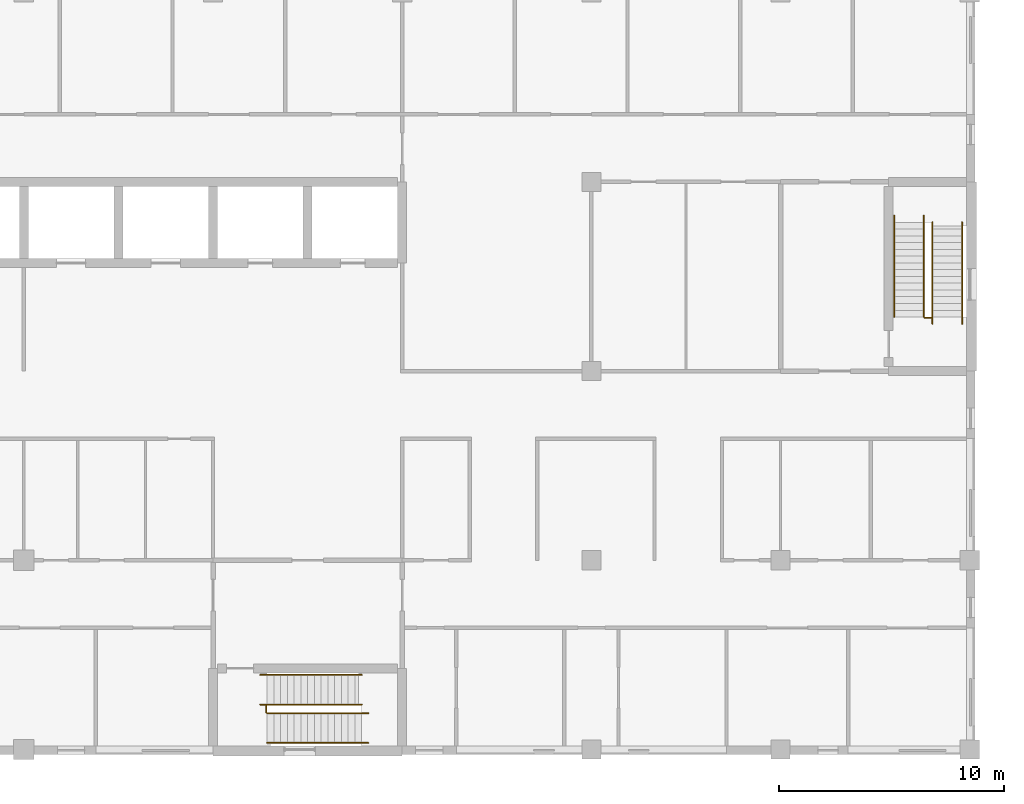
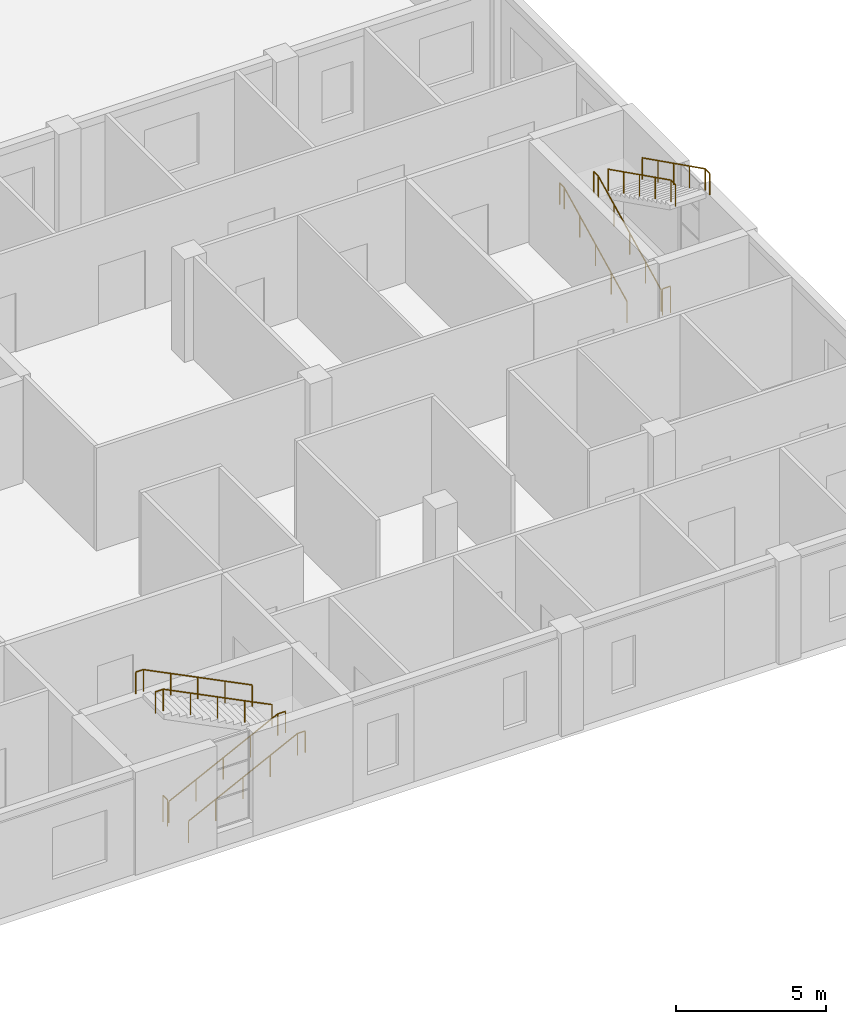
# One storey, part 65 of 66: 10 railings.
"""IFC4 building model written with IfcOpenShell, lengths in metres."""

from ifc_helpers import new_model, si_unit, direction, frame, origin, origin_2d, place, context, subcontext, project, spatial, circle, extrude, material, type_object, element, save


model = new_model("IFC4")

# Units and contexts
model_context = context("Model", 3, precision=1e-05, world=origin(), true_north=direction((0.0, 1.0)))
body_context = subcontext(model_context, "Body", "Model", "MODEL_VIEW")
ifc_project = project(units=[si_unit("LENGTHUNIT", "METRE"), si_unit("AREAUNIT", "SQUARE_METRE"), si_unit("VOLUMEUNIT", "CUBIC_METRE"), si_unit("PLANEANGLEUNIT", "RADIAN"), si_unit("MASSUNIT", "GRAM", prefix="KILO")], contexts=[model_context])

# Site, building, storey
site_placement = place(None, origin())
site = spatial("IfcSite", under=ifc_project, at=site_placement, CompositionType="ELEMENT")
building_placement = place(site_placement, origin())
building = spatial("IfcBuilding", under=site, at=building_placement, Name="Yavir Park General Hospital", CompositionType="ELEMENT")
storey_placement = place(building_placement, frame((0.0, 0.0, 8.39990234375)))
storey = spatial("IfcBuildingStorey", under=building, at=storey_placement, Name="L02", CompositionType="ELEMENT", Elevation=8.39990234375)

# Railings
ifc_material_1 = material(Name="Steel balustrade with infill rods", Category="steel")
railing_type_1 = type_object("IfcRailingType", Name="Stair guard, steel balustrade 1100 mm", PredefinedType="GUARDRAIL", material=ifc_material_1)
railing_1_placement = place(storey_placement, frame((136.77001953125, 1.64990234375, 0.0)))
element("IfcRailing", 1, at=railing_1_placement, inside=storey, type_object=railing_type_1, Name="Stair well guard SU5 L02", PredefinedType="GUARDRAIL", context=body_context, shape_type="SweptSolid", body=[
    extrude(circle(Radius=0.02392578125, at=origin_2d()), frame((0.0, 0.0, 1.076171875), z_axis=(0.0, 1.0, 0.0), x_axis=(-1.0, 0.0, 0.0)), (0.0, 0.0, 1.0), 0.300048828125),
    extrude(circle(Radius=0.02099609375, at=origin_2d()), origin(), (0.0, 0.0, 1.0), 1.052001953125),
    extrude(circle(Radius=0.02099609375, at=origin_2d()), frame((0.0, 0.300048828125, 0.0)), (0.0, 0.0, 1.0), 1.052001953125),
])
railing_2_placement = place(storey_placement, frame((166.0, 19.169921875, 0.0)))
element("IfcRailing", 2, at=railing_2_placement, inside=storey, type_object=railing_type_1, Name="Stair well guard SU6 L02", PredefinedType="GUARDRAIL", context=body_context, shape_type="SweptSolid", body=[
    extrude(circle(Radius=0.02392578125, at=origin_2d()), frame((0.0, 0.0, 1.076171875), z_axis=(1.0, 0.0, 0.0), x_axis=(0.0, 1.0, 0.0)), (0.0, 0.0, 1.0), 0.300048828125),
    extrude(circle(Radius=0.02099609375, at=origin_2d()), origin(), (0.0, 0.0, 1.0), 1.052001953125),
    extrude(circle(Radius=0.02099609375, at=origin_2d()), frame((0.300048828125, 0.0, 0.0)), (0.0, 0.0, 1.0), 1.052001953125),
])
ifc_material_2 = material(Name="Stainless steel tube 48 mm", Category="steel")
railing_type_2 = type_object("IfcRailingType", Name="Stair handrail, steel tube, 900 mm above the nosings", PredefinedType="HANDRAIL", material=ifc_material_2)
for number, where, name in (
    (3, (136.800048828125, 0.2900390625, 0.150146484375), "Handrail SU5 L02 1"),
    (4, (136.800048828125, 1.610107421875, 0.150146484375), "Handrail SU5 L02 2"),
):
    element("IfcRailing", number, at=place(storey_placement, frame(where)), inside=storey, type_object=railing_type_2, Name=name, PredefinedType="HANDRAIL", context=body_context, shape_type="SweptSolid", body=[
        extrude(circle(Radius=0.02392578125, at=origin_2d()), frame((0.0, 0.0, 0.8759765625), z_axis=(0.894437589381, 0.0, 0.447192798132), x_axis=(0.0, 1.0, 0.0)), (0.0, 0.0, 1.0), 4.695556640625),
        extrude(circle(Radius=0.02392578125, at=origin_2d()), frame((4.199951171875, 0.0, 2.9755859375), z_axis=(1.0, 0.0, 0.0), x_axis=(0.0, 1.0, 0.0)), (0.0, 0.0, 1.0), 0.300048828125),
        extrude(circle(Radius=0.02099609375, at=origin_2d()), origin(), (0.0, 0.0, 1.0), 0.851806640625),
        extrude(circle(Radius=0.02099609375, at=origin_2d()), frame((1.050048828125, 0.0, 0.52490234375)), (0.0, 0.0, 1.0), 0.851806640625),
        extrude(circle(Radius=0.02099609375, at=origin_2d()), frame((2.10009765625, 0.0, 1.0498046875)), (0.0, 0.0, 1.0), 0.851806640625),
        extrude(circle(Radius=0.02099609375, at=origin_2d()), frame((3.14990234375, 0.0, 1.574951171875)), (0.0, 0.0, 1.0), 0.851806640625),
        extrude(circle(Radius=0.02099609375, at=origin_2d()), frame((4.199951171875, 0.0, 2.099853515625)), (0.0, 0.0, 1.0), 0.851806640625),
        extrude(circle(Radius=0.02099609375, at=origin_2d()), frame((4.5, 0.0, 2.099853515625)), (0.0, 0.0, 1.0), 0.851806640625),
    ])
for number, where, name in (
    (5, (141.0, 3.31005859375, 2.400146484375), "Handrail SU5 L02 3"),
    (6, (141.0, 1.989990234375, 2.400146484375), "Handrail SU5 L02 4"),
):
    element("IfcRailing", number, at=place(storey_placement, frame(where)), inside=storey, type_object=railing_type_2, Name=name, PredefinedType="HANDRAIL", context=body_context, shape_type="SweptSolid", body=[
        extrude(circle(Radius=0.02392578125, at=origin_2d()), frame((0.0, 0.0, 0.8759765625), z_axis=(-0.894437589381, 0.0, 0.447192798132), x_axis=(0.0, -1.0, 0.0)), (0.0, 0.0, 1.0), 4.695556640625),
        extrude(circle(Radius=0.02392578125, at=origin_2d()), frame((-4.199951171875, 0.0, 2.9755859375), z_axis=(-1.0, 0.0, 0.0), x_axis=(0.0, -1.0, 0.0)), (0.0, 0.0, 1.0), 0.300048828125),
        extrude(circle(Radius=0.02099609375, at=origin_2d()), origin(), (0.0, 0.0, 1.0), 0.851806640625),
        extrude(circle(Radius=0.02099609375, at=origin_2d()), frame((-1.050048828125, 0.0, 0.52490234375)), (0.0, 0.0, 1.0), 0.851806640625),
        extrude(circle(Radius=0.02099609375, at=origin_2d()), frame((-2.10009765625, 0.0, 1.0498046875)), (0.0, 0.0, 1.0), 0.851806640625),
        extrude(circle(Radius=0.02099609375, at=origin_2d()), frame((-3.14990234375, 0.0, 1.574951171875)), (0.0, 0.0, 1.0), 0.851806640625),
        extrude(circle(Radius=0.02099609375, at=origin_2d()), frame((-4.199951171875, 0.0, 2.099853515625)), (0.0, 0.0, 1.0), 0.851806640625),
        extrude(circle(Radius=0.02099609375, at=origin_2d()), frame((-4.5, 0.0, 2.099853515625)), (0.0, 0.0, 1.0), 0.851806640625),
    ])
for number, where, name in (
    (7, (164.639892578125, 19.199951171875, 0.150146484375), "Handrail SU6 L02 1"),
    (8, (165.9599609375, 19.199951171875, 0.150146484375), "Handrail SU6 L02 2"),
):
    element("IfcRailing", number, at=place(storey_placement, frame(where)), inside=storey, type_object=railing_type_2, Name=name, PredefinedType="HANDRAIL", context=body_context, shape_type="SweptSolid", body=[
        extrude(circle(Radius=0.02392578125, at=origin_2d()), frame((0.0, 0.0, 0.8759765625), z_axis=(0.0, 0.894437589381, 0.447192798132), x_axis=(-1.0, 0.0, 0.0)), (0.0, 0.0, 1.0), 4.695556640625),
        extrude(circle(Radius=0.02392578125, at=origin_2d()), frame((0.0, 4.199951171875, 2.9755859375), z_axis=(0.0, 1.0, 0.0), x_axis=(-1.0, 0.0, 0.0)), (0.0, 0.0, 1.0), 0.300048828125),
        extrude(circle(Radius=0.02099609375, at=origin_2d()), origin(), (0.0, 0.0, 1.0), 0.851806640625),
        extrude(circle(Radius=0.02099609375, at=origin_2d()), frame((0.0, 1.050048828125, 0.52490234375)), (0.0, 0.0, 1.0), 0.851806640625),
        extrude(circle(Radius=0.02099609375, at=origin_2d()), frame((0.0, 2.10009765625, 1.0498046875)), (0.0, 0.0, 1.0), 0.851806640625),
        extrude(circle(Radius=0.02099609375, at=origin_2d()), frame((0.0, 3.14990234375, 1.574951171875)), (0.0, 0.0, 1.0), 0.851806640625),
        extrude(circle(Radius=0.02099609375, at=origin_2d()), frame((0.0, 4.199951171875, 2.099853515625)), (0.0, 0.0, 1.0), 0.851806640625),
        extrude(circle(Radius=0.02099609375, at=origin_2d()), frame((0.0, 4.5, 2.099853515625)), (0.0, 0.0, 1.0), 0.851806640625),
    ])
for number, where, name in (
    (9, (167.659912109375, 23.39990234375, 2.400146484375), "Handrail SU6 L02 3"),
    (10, (166.340087890625, 23.39990234375, 2.400146484375), "Handrail SU6 L02 4"),
):
    element("IfcRailing", number, at=place(storey_placement, frame(where)), inside=storey, type_object=railing_type_2, Name=name, PredefinedType="HANDRAIL", context=body_context, shape_type="SweptSolid", body=[
        extrude(circle(Radius=0.02392578125, at=origin_2d()), frame((0.0, 0.0, 0.8759765625), z_axis=(0.0, -0.894437589381, 0.447192798132), x_axis=(1.0, 0.0, 0.0)), (0.0, 0.0, 1.0), 4.695556640625),
        extrude(circle(Radius=0.02392578125, at=origin_2d()), frame((0.0, -4.199951171875, 2.9755859375), z_axis=(0.0, -1.0, 0.0), x_axis=(1.0, 0.0, 0.0)), (0.0, 0.0, 1.0), 0.300048828125),
        extrude(circle(Radius=0.02099609375, at=origin_2d()), origin(), (0.0, 0.0, 1.0), 0.851806640625),
        extrude(circle(Radius=0.02099609375, at=origin_2d()), frame((0.0, -1.050048828125, 0.52490234375)), (0.0, 0.0, 1.0), 0.851806640625),
        extrude(circle(Radius=0.02099609375, at=origin_2d()), frame((0.0, -2.10009765625, 1.0498046875)), (0.0, 0.0, 1.0), 0.851806640625),
        extrude(circle(Radius=0.02099609375, at=origin_2d()), frame((0.0, -3.14990234375, 1.574951171875)), (0.0, 0.0, 1.0), 0.851806640625),
        extrude(circle(Radius=0.02099609375, at=origin_2d()), frame((0.0, -4.199951171875, 2.099853515625)), (0.0, 0.0, 1.0), 0.851806640625),
        extrude(circle(Radius=0.02099609375, at=origin_2d()), frame((0.0, -4.5, 2.099853515625)), (0.0, 0.0, 1.0), 0.851806640625),
    ])

save(model, "model.ifc")
